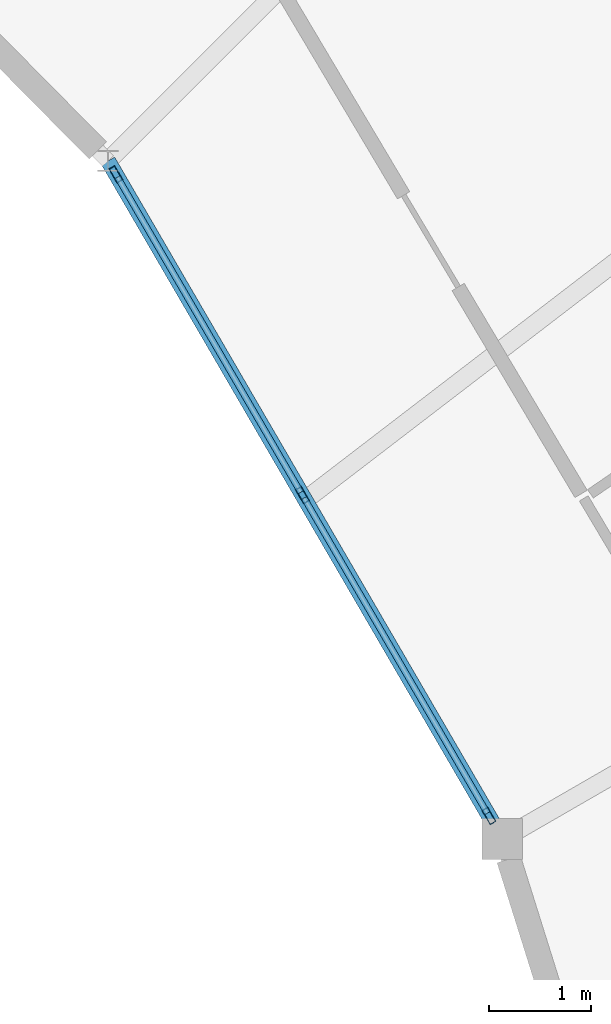
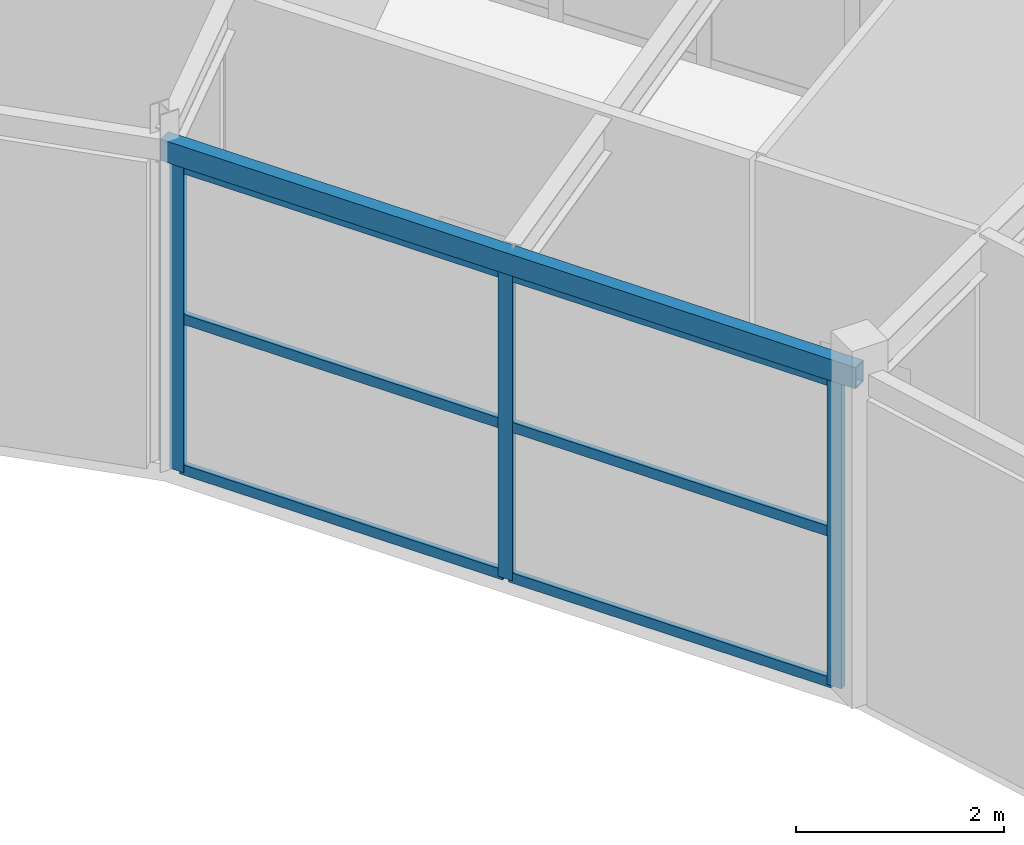
# One storey, part 32 of 66: 9 members, 1 beam, 1 element without a shape of its own.
"""IFC4 building model written with IfcOpenShell, lengths in metres."""

import ifcopenshell
import ifcopenshell.guid

model = None  # the IFC model being written
_history = None  # IfcOwnerHistory: only IFC2X3 demands one
_inside = {}  # id of a spatial element -> (the spatial element, [elements in it])
_under = {}  # id of a project, library or spatial element -> (it, [spatial elements below it])
_declared = {}  # id of a project -> (the project, [libraries it declares])
_typed = {}  # id of a type object -> (the type object, [elements of that type])
_made_of = {}  # id of a material, layer set ... -> (it, [elements and type objects made of it])


def new_model(schema):
    """Start an empty IFC model of exactly this schema.

    Asked for "IFC4X3", IfcOpenShell would pick the latest addendum, in which some entities
    have other attributes; the version numbers below select the first issue.
    IFC2X3 requires an IfcOwnerHistory on every rooted entity: one is made here for all.
    """
    global model, _history
    if schema == "IFC4X3":
        model = ifcopenshell.file(schema_version=(4, 3, 0, 0))
    else:
        model = ifcopenshell.file(schema=schema)
    _inside.clear()
    _under.clear()
    _declared.clear()
    _typed.clear()
    _made_of.clear()
    _history = None
    if model.schema == "IFC2X3":
        org = make("IfcOrganization", Name="unknown")
        user = make(
            "IfcPersonAndOrganization",
            ThePerson=make("IfcPerson", FamilyName="unknown"),
            TheOrganization=org,
        )
        app = make(
            "IfcApplication",
            ApplicationDeveloper=org,
            Version="unknown",
            ApplicationFullName="unknown",
            ApplicationIdentifier="unknown",
        )
        _history = make(
            "IfcOwnerHistory",
            OwningUser=user,
            OwningApplication=app,
            ChangeAction="ADDED",
            CreationDate=0,
        )
    return model


def make(cls, **values):
    """One entity of the class cls with the attributes given. An attribute that is None is left unset."""
    return model.create_entity(
        cls, **{name: value for name, value in values.items() if value is not None}
    )


def rooted(cls, **values):
    """An entity with a GlobalId (a new one), such as an element, a storey or a relation."""
    return make(cls, GlobalId=ifcopenshell.guid.new(), OwnerHistory=_history, **values)


def si_unit(unit_type, name, prefix=None):
    """IfcSIUnit, for example si_unit("LENGTHUNIT", "METRE", prefix="MILLI")."""
    return make("IfcSIUnit", UnitType=unit_type, Prefix=prefix, Name=name)


def assignment(units):
    """IfcUnitAssignment: the units of a project."""
    return None if units is None else make("IfcUnitAssignment", Units=units)


def point(xyz):
    """IfcCartesianPoint."""
    return None if xyz is None else make("IfcCartesianPoint", Coordinates=xyz)


def direction(xyz):
    """IfcDirection."""
    return None if xyz is None else make("IfcDirection", DirectionRatios=xyz)


def frame(location, z_axis=None, x_axis=None):
    """IfcAxis2Placement3D, a coordinate frame: its origin and axes. An axis left out is left unset."""
    return make(
        "IfcAxis2Placement3D",
        Location=point(location),
        Axis=direction(z_axis),
        RefDirection=direction(x_axis),
    )


def frame_2d(location, x_axis=None):
    """IfcAxis2Placement2D, a coordinate frame in the plane: its origin and x axis."""
    return make(
        "IfcAxis2Placement2D", Location=point(location), RefDirection=direction(x_axis)
    )


def origin():
    """The frame at (0, 0, 0) with its axes left unset."""
    return frame((0.0, 0.0, 0.0))


def origin_2d():
    """The frame at (0, 0) in the plane with its x axis left unset."""
    return frame_2d((0.0, 0.0))


def place(relative_to, where):
    """IfcLocalPlacement: puts the frame where relative to a parent placement (None: the world)."""
    return make(
        "IfcLocalPlacement", PlacementRelTo=relative_to, RelativePlacement=where
    )


def context(
    kind, dimensions, precision=None, world=None, true_north=None, identifier=None
):
    """IfcGeometricRepresentationContext, for example the 3D "Model" context."""
    return make(
        "IfcGeometricRepresentationContext",
        ContextIdentifier=identifier,
        ContextType=kind,
        CoordinateSpaceDimension=dimensions,
        Precision=precision,
        WorldCoordinateSystem=world,
        TrueNorth=true_north,
    )


def subcontext(parent, identifier, kind, view, scale=None):
    """IfcGeometricRepresentationSubContext, for example "Body" below "Model"."""
    return make(
        "IfcGeometricRepresentationSubContext",
        ContextIdentifier=identifier,
        ContextType=kind,
        ParentContext=parent,
        TargetScale=scale,
        TargetView=view,
    )


def project(units=None, contexts=None):
    """IfcProject with its units and contexts."""
    return rooted(
        "IfcProject",
        Name="project",
        RepresentationContexts=contexts,
        UnitsInContext=assignment(units),
    )


def spatial(cls, under=None, at=None, **own):
    """A site, building, storey or space (cls), placed at a placement, below another one or the project."""
    s = rooted(cls, ObjectPlacement=at, **own)
    if under is not None:
        _under.setdefault(under.id(), (under, []))[1].append(s)
    return s


def profile(cls, at=None, kind="AREA", **sizes):
    """A parametric profile (cls). Its sizes go by their IFC names, for example OverallWidth=200.0."""
    return make(cls, ProfileType=kind, Position=at, **sizes)


def hollow_rectangle(**sizes):
    """IfcRectangleHollowProfileDef."""
    return profile("IfcRectangleHollowProfileDef", **sizes)


def extrude(swept, where, along, depth):
    """IfcExtrudedAreaSolid: the profile swept, set in the frame where, extruded along a direction by depth."""
    return make(
        "IfcExtrudedAreaSolid",
        SweptArea=swept,
        Position=where,
        ExtrudedDirection=direction(along),
        Depth=depth,
    )


def shape(context_of_items, identifier, shape_type, items):
    """IfcShapeRepresentation: the items that make up one representation, for example the "Body"."""
    return make(
        "IfcShapeRepresentation",
        ContextOfItems=context_of_items,
        RepresentationIdentifier=identifier,
        RepresentationType=shape_type,
        Items=items,
    )


def material(Name=None, Category=None):
    """IfcMaterial."""
    return make("IfcMaterial", Name=Name, Category=Category)


def material_profile(
    of_material, cross_section, Name=None, Category=None, Priority=None
):
    """IfcMaterialProfile: a cross section and its material."""
    return make(
        "IfcMaterialProfile",
        Name=Name,
        Material=of_material,
        Profile=cross_section,
        Priority=Priority,
        Category=Category,
    )


def profile_set(profiles, Name=None, composite=None):
    """IfcMaterialProfileSet."""
    return make(
        "IfcMaterialProfileSet",
        Name=Name,
        MaterialProfiles=profiles,
        CompositeProfile=composite,
    )


def made_of(thing, what):
    """Note that an element or type object is made of a material, layer set ...; save() writes the relation."""
    if what is not None:
        _made_of.setdefault(what.id(), (what, []))[1].append(thing)
    return thing


def type_object(cls, material=None, **own):
    """A type object (cls), such as IfcWallType, which elements share."""
    return made_of(rooted(cls, **own), material)


def element(
    cls,
    number,
    at=None,
    inside=None,
    cuts=None,
    type_object=None,
    material=None,
    context=None,
    identifier="Body",
    shape_type=None,
    held_by="IfcProductDefinitionShape",
    body=None,
    shapes=None,
    **own,
):
    """One element of the class cls, such as IfcWall. Its Tag is "e" and its number.

    at: its placement. inside: the storey or other place that contains it. cuts: it is an
    opening in that element (IfcRelVoidsElement). A single representation is given by context,
    identifier, shape_type and body (its items); several are given by shapes. held_by: the class
    of the entity that holds the representations. save() writes the other relations.
    """
    e = rooted(cls, Tag="e%d" % number, ObjectPlacement=at, **own)
    if body is not None:
        shapes = [shape(context, identifier, shape_type, body)]
    if shapes is not None:
        e.Representation = make(held_by, Representations=shapes)
    if inside is not None:
        _inside.setdefault(inside.id(), (inside, []))[1].append(e)
    if cuts is not None:
        rooted(
            "IfcRelVoidsElement", RelatingBuildingElement=cuts, RelatedOpeningElement=e
        )
    if type_object is not None:
        _typed.setdefault(type_object.id(), (type_object, []))[1].append(e)
    return made_of(e, material)


def aggregate(whole, parts):
    """IfcRelAggregates: a whole, such as a stair, and the parts it consists of."""
    return rooted("IfcRelAggregates", RelatingObject=whole, RelatedObjects=parts)


def save(model, path):
    """Write the relations noted so far, then the file.

    IfcRelAggregates (storeys below a building ...), IfcRelContainedInSpatialStructure (elements
    in a storey), IfcRelDefinesByType, IfcRelAssociatesMaterial and IfcRelDeclares: one each for
    every whole, place, type object, material and project.
    """
    for whole, parts in _under.values():
        aggregate(whole, parts)
    for where, things in _inside.values():
        rooted(
            "IfcRelContainedInSpatialStructure",
            RelatedElements=things,
            RelatingStructure=where,
        )
    for kind, things in _typed.values():
        rooted("IfcRelDefinesByType", RelatedObjects=things, RelatingType=kind)
    for what, things in _made_of.values():
        rooted("IfcRelAssociatesMaterial", RelatedObjects=things, RelatingMaterial=what)
    for by, libraries in _declared.values():
        rooted("IfcRelDeclares", RelatingContext=by, RelatedDefinitions=libraries)
    model.write(path)


model = new_model("IFC4")

# Units and contexts
model_context = context("Model", 3, precision=1e-05, world=origin(), true_north=direction((0.0, 1.0)))
body_context = subcontext(model_context, "Body", "Model", "MODEL_VIEW")
ifc_project = project(units=[si_unit("LENGTHUNIT", "METRE"), si_unit("AREAUNIT", "SQUARE_METRE"), si_unit("VOLUMEUNIT", "CUBIC_METRE"), si_unit("PLANEANGLEUNIT", "RADIAN"), si_unit("MASSUNIT", "GRAM", prefix="KILO")], contexts=[model_context])

# Site, building, storey
site_placement = place(None, origin())
site = spatial("IfcSite", under=ifc_project, at=site_placement, CompositionType="ELEMENT")
building_placement = place(site_placement, origin())
building = spatial("IfcBuilding", under=site, at=building_placement, Name="Karori Crest Natural Sciences Institute", CompositionType="ELEMENT")
storey_placement = place(building_placement, frame((0.0, 0.0, 30.10009765625)))
storey = spatial("IfcBuildingStorey", under=building, at=storey_placement, Name="L07", CompositionType="ELEMENT", Elevation=30.10009765625)

# Beam
ifc_material_1 = material(Name="Hollow structural steel AS/NZS 1163 Grade C350", Category="steel")
ifc_material_profile_1 = material_profile(ifc_material_1, hollow_rectangle(XDim=0.14990234375, YDim=0.25, WallThickness=0.009033203125, at=origin_2d()), Name="RHS250x150x9")
ifc_profile_set_1 = profile_set([ifc_material_profile_1], Name="Hollow structural steel AS/NZS 1163 Grade C350")
beam_type = type_object("IfcBeamType", Name="BT-16", PredefinedType="SPANDREL", material=ifc_profile_set_1)
beam_placement = place(storey_placement, frame((87.531005859375, 66.0, 3.739990234375), z_axis=(-0.502672163425, 0.864477122958, 0.0), x_axis=(-0.864477122958, -0.502672163425, 0.0)))
element("IfcBeam", 1, at=beam_placement, inside=storey, type_object=beam_type, Name="Beam B-0651", PredefinedType="SPANDREL", context=body_context, shape_type="SweptSolid", body=[
    extrude(hollow_rectangle(XDim=0.14990234375, YDim=0.25, WallThickness=0.009033203125, at=origin_2d()), origin(), (0.0, 0.0, 1.0), 7.714111328125),
])

# Curtain wall, members
ifc_material_2 = material(Name="Anodised architectural aluminium 6063-T6", Category="aluminium")
curtain_wall_type = type_object("IfcCurtainWallType", Name="CWT-13", PredefinedType="NOTDEFINED", material=ifc_material_2)
curtain_wall_placement = place(storey_placement, origin())
curtain_wall = element("IfcCurtainWall", 2, at=curtain_wall_placement, inside=storey, type_object=curtain_wall_type, Name="Curtain wall CW-0247", PredefinedType="NOTDEFINED")
ifc_material_profile_2 = material_profile(ifc_material_2, hollow_rectangle(XDim=0.06494140625, YDim=0.159912109375, WallThickness=0.00390625, at=origin_2d()), Name="CWM160x65x4")
ifc_profile_set_2 = profile_set([ifc_material_profile_2], Name="Anodised architectural aluminium 6063-T6")
member_type_1 = type_object("IfcMemberType", Name="CWM-01", PredefinedType="MULLION", material=ifc_profile_set_2)
member_1_placement = place(storey_placement, frame((87.3994140625, 66.226318359375, 0.0), z_axis=(0.0, 0.0, 1.0), x_axis=(-0.864487154971, -0.502654910341, 0.0)))
member_1 = element("IfcMember", 3, at=member_1_placement, type_object=member_type_1, Name="CW-0247 mullion 1", PredefinedType="MULLION", context=body_context, shape_type="SweptSolid", body=[
    extrude(hollow_rectangle(XDim=0.06494140625, YDim=0.159912109375, WallThickness=0.00390625, at=origin_2d()), origin(), (0.0, 0.0, 1.0), 3.599853515625),
])
member_2_placement = place(storey_placement, frame((85.564697265625, 69.3818359375, 0.0), z_axis=(0.0, 0.0, 1.0), x_axis=(-0.864487154971, -0.502654910341, 0.0)))
member_2 = element("IfcMember", 4, at=member_2_placement, type_object=member_type_1, Name="CW-0247 mullion 2", PredefinedType="MULLION", context=body_context, shape_type="SweptSolid", body=[
    extrude(hollow_rectangle(XDim=0.06494140625, YDim=0.159912109375, WallThickness=0.00390625, at=origin_2d()), origin(), (0.0, 0.0, 1.0), 3.599853515625),
])
member_3_placement = place(storey_placement, frame((83.729736328125, 72.537353515625, 0.0), z_axis=(0.0, 0.0, 1.0), x_axis=(-0.864487154971, -0.502654910341, 0.0)))
member_3 = element("IfcMember", 5, at=member_3_placement, type_object=member_type_1, Name="CW-0247 mullion 3", PredefinedType="MULLION", context=body_context, shape_type="SweptSolid", body=[
    extrude(hollow_rectangle(XDim=0.06494140625, YDim=0.159912109375, WallThickness=0.00390625, at=origin_2d()), origin(), (0.0, 0.0, 1.0), 3.599853515625),
])
ifc_material_profile_3 = material_profile(ifc_material_2, hollow_rectangle(XDim=0.06005859375, YDim=0.1201171875, WallThickness=0.00390625, at=origin_2d()), Name="CWT120x60x4")
ifc_profile_set_3 = profile_set([ifc_material_profile_3], Name="Anodised architectural aluminium 6063-T6")
member_type_2 = type_object("IfcMemberType", Name="CWT-TR1", PredefinedType="USERDEFINED", material=ifc_profile_set_3)
member_4_placement = place(storey_placement, frame((87.383056640625, 66.25439453125, 0.02978515625), z_axis=(-0.502629926078, 0.864501681555, 0.0), x_axis=(-0.864501681555, -0.502629926078, 0.0)))
member_4 = element("IfcMember", 6, at=member_4_placement, type_object=member_type_2, Name="CW-0247 transom 1.1", ObjectType="TRANSOM", PredefinedType="USERDEFINED", context=body_context, shape_type="SweptSolid", body=[
    extrude(hollow_rectangle(XDim=0.06005859375, YDim=0.1201171875, WallThickness=0.00390625, at=origin_2d()), origin(), (0.0, 0.0, 1.0), 3.585205078125),
])
member_5_placement = place(storey_placement, frame((87.383056640625, 66.25439453125, 1.7998046875), z_axis=(-0.502629926078, 0.864501681555, 0.0), x_axis=(-0.864501681555, -0.502629926078, 0.0)))
member_5 = element("IfcMember", 7, at=member_5_placement, type_object=member_type_2, Name="CW-0247 transom 1.2", ObjectType="TRANSOM", PredefinedType="USERDEFINED", context=body_context, shape_type="SweptSolid", body=[
    extrude(hollow_rectangle(XDim=0.06005859375, YDim=0.1201171875, WallThickness=0.00390625, at=origin_2d()), origin(), (0.0, 0.0, 1.0), 3.585205078125),
])
member_6_placement = place(storey_placement, frame((87.383056640625, 66.25439453125, 3.56982421875), z_axis=(-0.502629926078, 0.864501681555, 0.0), x_axis=(-0.864501681555, -0.502629926078, 0.0)))
member_6 = element("IfcMember", 8, at=member_6_placement, type_object=member_type_2, Name="CW-0247 transom 1.3", ObjectType="TRANSOM", PredefinedType="USERDEFINED", context=body_context, shape_type="SweptSolid", body=[
    extrude(hollow_rectangle(XDim=0.06005859375, YDim=0.1201171875, WallThickness=0.00390625, at=origin_2d()), origin(), (0.0, 0.0, 1.0), 3.585205078125),
])
member_7_placement = place(storey_placement, frame((85.54833984375, 69.409912109375, 0.02978515625), z_axis=(-0.502680817258, 0.864472090909, 0.0), x_axis=(-0.864472090909, -0.502680817258, 0.0)))
member_7 = element("IfcMember", 9, at=member_7_placement, type_object=member_type_2, Name="CW-0247 transom 2.1", ObjectType="TRANSOM", PredefinedType="USERDEFINED", context=body_context, shape_type="SweptSolid", body=[
    extrude(hollow_rectangle(XDim=0.06005859375, YDim=0.1201171875, WallThickness=0.00390625, at=origin_2d()), origin(), (0.0, 0.0, 1.0), 3.585205078125),
])
member_8_placement = place(storey_placement, frame((85.54833984375, 69.409912109375, 1.7998046875), z_axis=(-0.502680817258, 0.864472090909, 0.0), x_axis=(-0.864472090909, -0.502680817258, 0.0)))
member_8 = element("IfcMember", 10, at=member_8_placement, type_object=member_type_2, Name="CW-0247 transom 2.2", ObjectType="TRANSOM", PredefinedType="USERDEFINED", context=body_context, shape_type="SweptSolid", body=[
    extrude(hollow_rectangle(XDim=0.06005859375, YDim=0.1201171875, WallThickness=0.00390625, at=origin_2d()), origin(), (0.0, 0.0, 1.0), 3.585205078125),
])
member_9_placement = place(storey_placement, frame((85.54833984375, 69.409912109375, 3.56982421875), z_axis=(-0.502680817258, 0.864472090909, 0.0), x_axis=(-0.864472090909, -0.502680817258, 0.0)))
member_9 = element("IfcMember", 11, at=member_9_placement, type_object=member_type_2, Name="CW-0247 transom 2.3", ObjectType="TRANSOM", PredefinedType="USERDEFINED", context=body_context, shape_type="SweptSolid", body=[
    extrude(hollow_rectangle(XDim=0.06005859375, YDim=0.1201171875, WallThickness=0.00390625, at=origin_2d()), origin(), (0.0, 0.0, 1.0), 3.585205078125),
])
aggregate(curtain_wall, [member_1, member_2, member_3, member_4, member_5, member_6, member_7, member_8, member_9])

save(model, "model.ifc")
